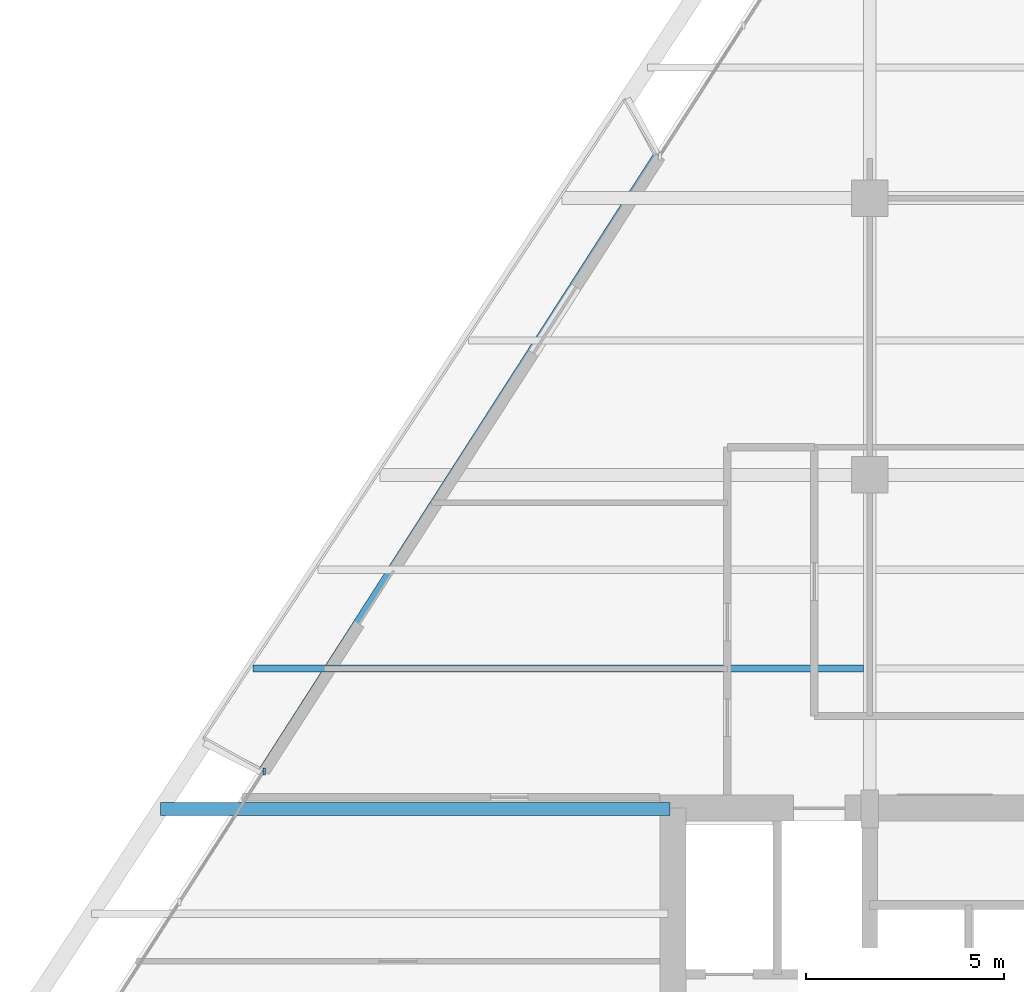
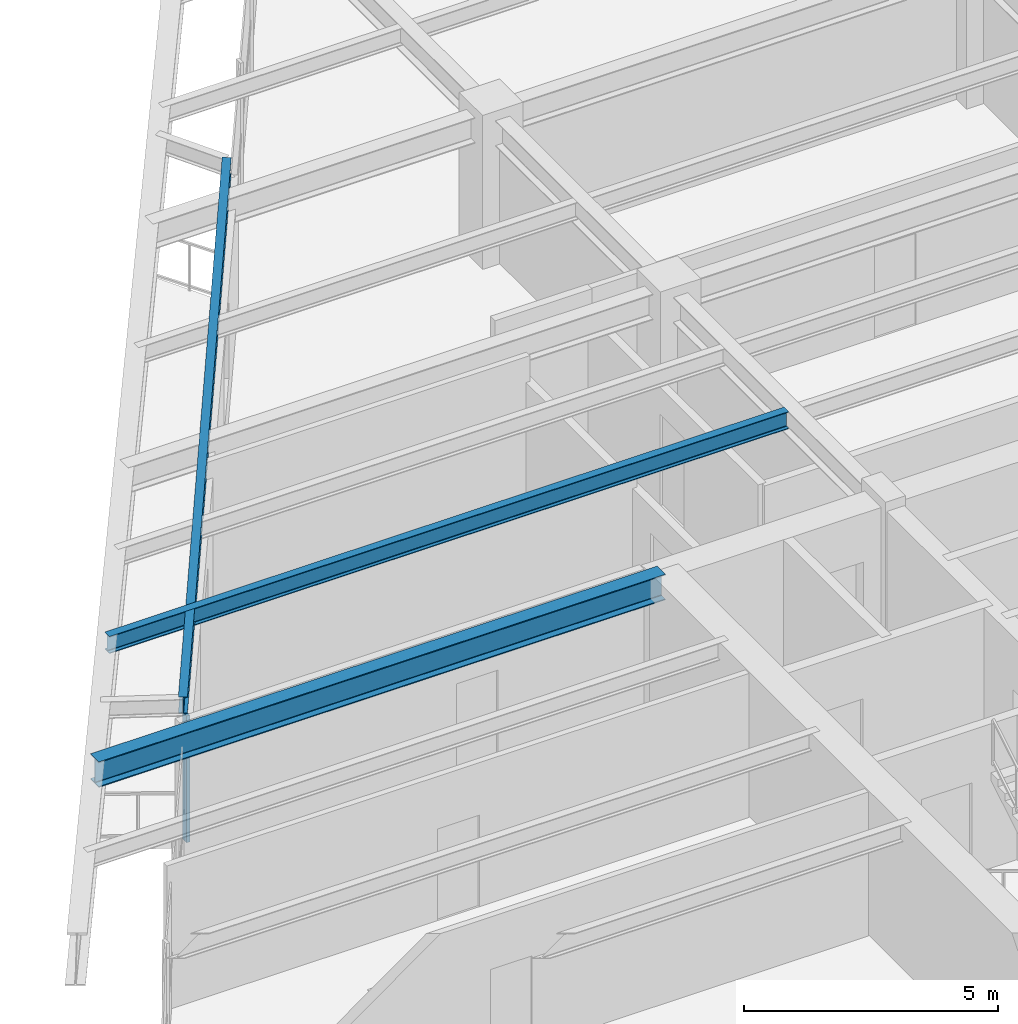
# One storey, part 4 of 16: 3 beams, 1 member, 1 element without a shape of its own.
"""IFC4 building model written with IfcOpenShell, lengths in metres."""

from ifc_helpers import new_model, si_unit, direction, frame, origin, origin_2d, place, context, subcontext, project, spatial, rectangle, i_section, extrude, source, transform, mapped, material, material_profile, profile_set, type_object, element, aggregate, save


model = new_model("IFC4")

# Units and contexts
model_context = context("Model", 3, precision=1e-05, world=origin(), true_north=direction((0.0, 1.0)))
body_context = subcontext(model_context, "Body", "Model", "MODEL_VIEW")
ifc_project = project(units=[si_unit("LENGTHUNIT", "METRE"), si_unit("AREAUNIT", "SQUARE_METRE"), si_unit("VOLUMEUNIT", "CUBIC_METRE"), si_unit("PLANEANGLEUNIT", "RADIAN"), si_unit("MASSUNIT", "GRAM", prefix="KILO")], contexts=[model_context])

# Site, building, storey
site_placement = place(None, origin())
site = spatial("IfcSite", under=ifc_project, at=site_placement, CompositionType="ELEMENT")
building_placement = place(site_placement, origin())
building = spatial("IfcBuilding", under=site, at=building_placement, Name="Varnakhor Terracotta Tower", CompositionType="ELEMENT")
storey_placement = place(building_placement, frame((0.0, 0.0, 151.5)))
storey = spatial("IfcBuildingStorey", under=building, at=storey_placement, Name="L38", CompositionType="ELEMENT", Elevation=151.5)

# Beams
ifc_material_1 = material(Name="Steel S355", Category="steel")
ifc_material_profile_1 = material_profile(ifc_material_1, i_section(OverallWidth=0.179931640625, OverallDepth=0.39990234375, WebThickness=0.008544921875, FlangeThickness=0.013427734375, FilletRadius=0.01806640625, at=origin_2d()), Name="IPE400")
ifc_profile_set_1 = profile_set([ifc_material_profile_1], Name="Steel S355")
beam_type_1 = type_object("IfcBeamType", Name="JST-IPE400", PredefinedType="JOIST", material=ifc_profile_set_1)
shared_shape_1 = source(origin(), body_context, "Body", "SweptSolid", [
    extrude(i_section(OverallWidth=0.179931640625, OverallDepth=0.39990234375, WebThickness=0.008544921875, FlangeThickness=0.013427734375, FilletRadius=0.01806640625, at=origin_2d()), origin(), (0.0, 0.0, 1.0), 18.540283203125),
])
beam_1_placement = place(storey_placement, frame((-10.8740234375, 32.60205078125, 3.27001953125), z_axis=(-0.539764228206, -0.841816237637, 0.0), x_axis=(0.841816237637, -0.539764228206, 0.0)))
element("IfcBeam", 1, at=beam_1_placement, inside=storey, type_object=beam_type_1, Name="L38 Loggia Edge Beam 2", PredefinedType="JOIST", context=body_context, shape_type="MappedRepresentation", body=[
    mapped(shared_shape_1, transform((0.0, 0.0, 0.0), scale=1.0)),
])
ifc_material_profile_2 = material_profile(ifc_material_1, i_section(OverallWidth=0.324951171875, OverallDepth=0.615966796875, WebThickness=0.013916015625, FlangeThickness=0.02197265625, FilletRadius=0.01806640625, at=origin_2d()), Name="W24X117")
ifc_profile_set_2 = profile_set([ifc_material_profile_2], Name="Steel S355")
beam_type_2 = type_object("IfcBeamType", Name="BM-W24X117", PredefinedType="BEAM", material=ifc_profile_set_2)
shared_shape_2 = source(origin(), body_context, "Body", "SweptSolid", [
    extrude(i_section(OverallWidth=0.324951171875, OverallDepth=0.615966796875, WebThickness=0.013916015625, FlangeThickness=0.02197265625, FilletRadius=0.01806640625, at=origin_2d()), origin(), (0.0, 0.0, 1.0), 12.883056640625),
])
beam_2_placement = place(storey_placement, frame((-23.43310546875, 16.050048828125, 3.162109375), z_axis=(1.0, 0.0, 0.0), x_axis=(0.0, 1.0, 0.0)))
element("IfcBeam", 2, at=beam_2_placement, inside=storey, type_object=beam_type_2, Name="L38 Wing Girder W", PredefinedType="BEAM", context=body_context, shape_type="MappedRepresentation", body=[
    mapped(shared_shape_2, transform((0.0, 0.0, 0.0), scale=1.0)),
])
ifc_material_profile_3 = material_profile(ifc_material_1, i_section(OverallWidth=0.179931640625, OverallDepth=0.4130859375, WebThickness=0.009765625, FlangeThickness=0.01611328125, FilletRadius=0.01806640625, at=origin_2d()), Name="W16X50")
ifc_profile_set_3 = profile_set([ifc_material_profile_3], Name="Steel S355")
beam_type_3 = type_object("IfcBeamType", Name="JST-W16X50", PredefinedType="JOIST", material=ifc_profile_set_3)
shared_shape_3 = source(origin(), body_context, "Body", "SweptSolid", [
    extrude(i_section(OverallWidth=0.179931640625, OverallDepth=0.4130859375, WebThickness=0.009765625, FlangeThickness=0.01611328125, FilletRadius=0.01806640625, at=origin_2d()), origin(), (0.0, 0.0, 1.0), 15.442138671875),
])
beam_3_placement = place(storey_placement, frame((-21.1005859375, 19.60009765625, 3.263427734375), z_axis=(1.0, 0.0, 0.0), x_axis=(0.0, 1.0, 0.0)))
element("IfcBeam", 3, at=beam_3_placement, inside=storey, type_object=beam_type_3, Name="L38 Composite Floor Joist 4-1", PredefinedType="JOIST", context=body_context, shape_type="MappedRepresentation", body=[
    mapped(shared_shape_3, transform((0.0, 0.0, 0.0), scale=1.0)),
])

# Curtain wall, member
ifc_material_2 = material(Name="Anodised Aluminium Curtain Wall System", Category="aluminium")
curtain_wall_type = type_object("IfcCurtainWallType", Name="CW-SYS-MID-OFFICE", PredefinedType="NOTDEFINED", material=ifc_material_2)
curtain_wall_placement = place(storey_placement, origin())
curtain_wall = element("IfcCurtainWall", 4, at=curtain_wall_placement, inside=storey, type_object=curtain_wall_type, Name="L38 W Facet Curtain Wall 1", PredefinedType="NOTDEFINED")
ifc_material_3 = material(Name="Anodised Aluminium 6063-T6", Category="aluminium")
ifc_material_profile_4 = material_profile(ifc_material_3, rectangle(XDim=0.070068359375, YDim=0.175048828125, at=origin_2d()), Name="ALU MULLION 70x175")
ifc_profile_set_4 = profile_set([ifc_material_profile_4], Name="Anodised Aluminium 6063-T6")
member_type = type_object("IfcMemberType", Name="CWM-03", PredefinedType="MULLION", material=ifc_profile_set_4)
shared_shape_4 = source(origin(), body_context, "Body", "SweptSolid", [
    extrude(rectangle(XDim=0.070068359375, YDim=0.175048828125, at=origin_2d()), origin(), (0.0, 0.0, 1.0), 3.050048828125),
])
member_placement = place(storey_placement, frame((-20.80908203125, 16.996337890625, 0.0), z_axis=(0.0, 0.0, 1.0), x_axis=(1.0, 0.0, 0.0)))
member = element("IfcMember", 5, at=member_placement, type_object=member_type, Name="L38 W Loggia Jamb Closure Mullion 1", PredefinedType="MULLION", context=body_context, shape_type="MappedRepresentation", body=[
    mapped(shared_shape_4, transform((0.0, 0.0, 0.0), scale=1.0)),
])
aggregate(curtain_wall, [member])

save(model, "model.ifc")
